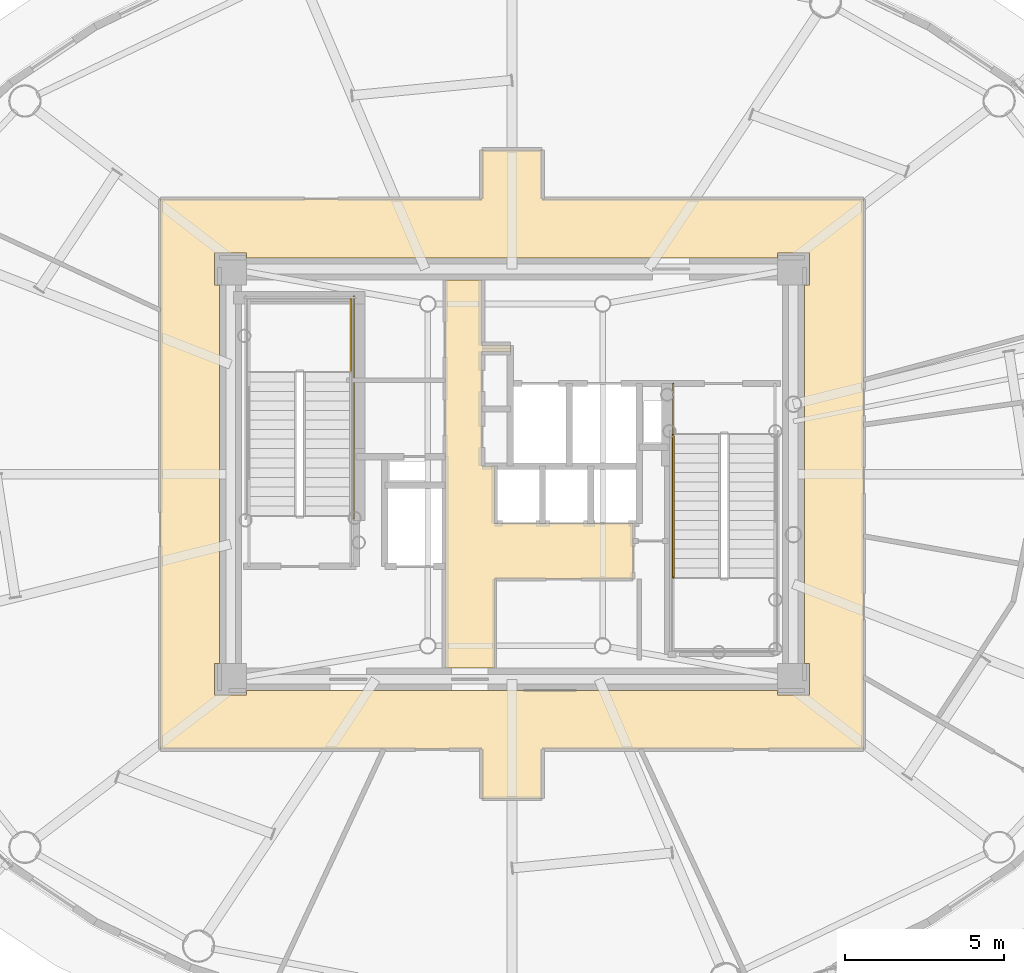
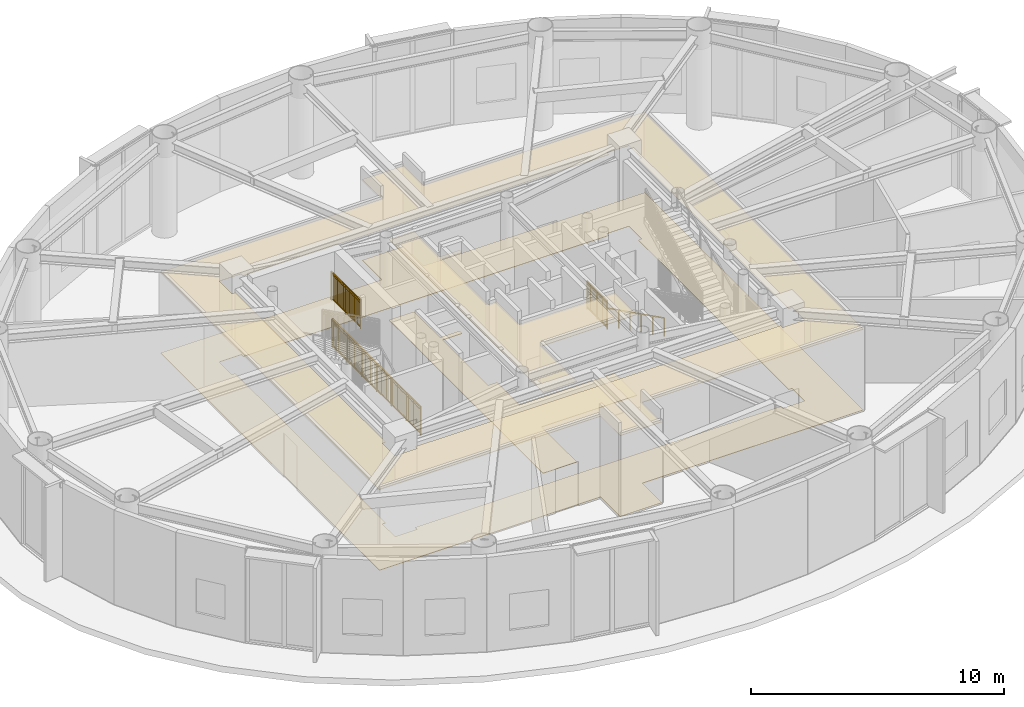
# One storey, part 30 of 32: 4 coverings, 4 railings.
"""IFC4 building model written with IfcOpenShell, lengths in metres."""

from ifc_helpers import new_model, si_unit, direction, frame, origin, origin_2d, place, context, subcontext, project, spatial, polyline, rectangle, outline, extrude, source, transform, mapped, material, layer, layer_set, type_object, element, save


model = new_model("IFC4")

# Units and contexts
model_context = context("Model", 3, precision=1e-05, world=origin(), true_north=direction((0.0, 1.0)))
body_context = subcontext(model_context, "Body", "Model", "MODEL_VIEW")
ifc_project = project(units=[si_unit("LENGTHUNIT", "METRE"), si_unit("AREAUNIT", "SQUARE_METRE"), si_unit("VOLUMEUNIT", "CUBIC_METRE"), si_unit("PLANEANGLEUNIT", "RADIAN"), si_unit("MASSUNIT", "GRAM", prefix="KILO")], contexts=[model_context])

# Site, building, storey
site_placement = place(None, origin())
site = spatial("IfcSite", under=ifc_project, at=site_placement, CompositionType="ELEMENT")
building_placement = place(site_placement, origin())
building = spatial("IfcBuilding", under=site, at=building_placement, Name="Linh Dai School and Residence Tower", CompositionType="ELEMENT")
storey_placement = place(building_placement, frame((0.0, 0.0, 268.199951171875)))
storey = spatial("IfcBuildingStorey", under=building, at=storey_placement, Name="L66", CompositionType="ELEMENT", Elevation=268.199951171875)

# Coverings
ifc_material_1 = material(Name="Mineral Fibre Acoustic Suspended Ceiling", Category="masonry")
ifc_layer_1 = layer(ifc_material_1, 0.02001953125)
ifc_layer_set_1 = layer_set([ifc_layer_1], Name="Mineral Fibre Acoustic Suspended Ceiling")
covering_type_1 = type_object("IfcCoveringType", Name="COV-CEIL-AC-20", PredefinedType="CEILING", material=ifc_layer_set_1)
covering_1_placement = place(storey_placement, frame((0.0, 0.0, 3.900146484375)))
element("IfcCovering", 1, at=covering_1_placement, inside=storey, type_object=covering_type_1, Name="L66 Passenger Lift Lobby Suspended Ceiling", PredefinedType="CEILING", context=body_context, shape_type="SweptSolid", body=[
    extrude(outline(polyline([(35.050048828125, 33.10009765625), (35.050048828125, 31.050048828125), (35.949951171875, 31.050048828125), (35.949951171875, 30.85009765625), (35.050048828125, 30.85009765625), (35.050048828125, 27.25), (35.449951171875, 27.25), (35.449951171875, 25.449951171875), (39.800048828125, 25.449951171875), (39.800048828125, 23.699951171875), (35.449951171875, 23.699951171875), (35.449951171875, 20.89990234375), (33.89990234375, 20.89990234375), (33.89990234375, 33.10009765625), (35.050048828125, 33.10009765625)])), origin(), (0.0, 0.0, 1.0), 0.02001953125),
])
covering_2_placement = place(storey_placement, frame((0.0, 0.0, 3.900146484375)))
element("IfcCovering", 2, at=covering_2_placement, inside=storey, type_object=covering_type_1, Name="L66 Residential Floor Corridor Suspended Ceiling", PredefinedType="CEILING", context=body_context, shape_type="SweptSolid", body=[
    extrude(outline(polyline([(24.949951171875, 18.35009765625), (24.949951171875, 35.64990234375), (35.050048828125, 35.64990234375), (35.050048828125, 37.199951171875), (36.949951171875, 37.199951171875), (36.949951171875, 35.64990234375), (47.050048828125, 35.64990234375), (47.050048828125, 18.35009765625), (36.949951171875, 18.35009765625), (36.949951171875, 16.800048828125), (35.050048828125, 16.800048828125), (35.050048828125, 18.35009765625), (24.949951171875, 18.35009765625)]), holes=[polyline([(27.64990234375, 33.800048828125), (27.64990234375, 33.949951171875), (26.64990234375, 33.949951171875), (26.64990234375, 32.949951171875), (26.800048828125, 32.949951171875), (26.800048828125, 21.050048828125), (26.64990234375, 21.050048828125), (26.64990234375, 20.050048828125), (27.64990234375, 20.050048828125), (27.64990234375, 20.199951171875), (44.35009765625, 20.199951171875), (44.35009765625, 20.050048828125), (45.35009765625, 20.050048828125), (45.35009765625, 21.050048828125), (45.199951171875, 21.050048828125), (45.199951171875, 32.949951171875), (45.35009765625, 32.949951171875), (45.35009765625, 33.949951171875), (44.35009765625, 33.949951171875), (44.35009765625, 33.800048828125), (27.64990234375, 33.800048828125)])]), origin(), (0.0, 0.0, 1.0), 0.02001953125),
])
ifc_material_2 = material(Name="Polished Terrazzo Floor Finish", Category="masonry")
ifc_layer_2 = layer(ifc_material_2, 0.02490234375)
ifc_layer_set_2 = layer_set([ifc_layer_2], Name="Polished Terrazzo Floor Finish")
covering_type_2 = type_object("IfcCoveringType", Name="COV-FLR-TRZ-25", PredefinedType="FLOORING", material=ifc_layer_set_2)
covering_3_placement = place(storey_placement, origin())
element("IfcCovering", 3, at=covering_3_placement, inside=storey, type_object=covering_type_2, Name="L66 Passenger Lift Lobby Floor Finish", PredefinedType="FLOORING", context=body_context, shape_type="SweptSolid", body=[
    extrude(outline(polyline([(35.050048828125, 33.10009765625), (35.050048828125, 31.050048828125), (35.949951171875, 31.050048828125), (35.949951171875, 30.85009765625), (35.050048828125, 30.85009765625), (35.050048828125, 27.25), (35.449951171875, 27.25), (35.449951171875, 25.449951171875), (39.800048828125, 25.449951171875), (39.800048828125, 23.699951171875), (35.449951171875, 23.699951171875), (35.449951171875, 20.89990234375), (33.89990234375, 20.89990234375), (33.89990234375, 33.10009765625), (35.050048828125, 33.10009765625)])), origin(), (0.0, 0.0, 1.0), 0.02001953125),
])
covering_4_placement = place(storey_placement, origin())
element("IfcCovering", 4, at=covering_4_placement, inside=storey, type_object=covering_type_2, Name="L66 Residential Floor Corridor Floor Finish", PredefinedType="FLOORING", context=body_context, shape_type="SweptSolid", body=[
    extrude(outline(polyline([(24.949951171875, 18.35009765625), (24.949951171875, 35.64990234375), (35.050048828125, 35.64990234375), (35.050048828125, 37.199951171875), (36.949951171875, 37.199951171875), (36.949951171875, 35.64990234375), (47.050048828125, 35.64990234375), (47.050048828125, 18.35009765625), (36.949951171875, 18.35009765625), (36.949951171875, 16.800048828125), (35.050048828125, 16.800048828125), (35.050048828125, 18.35009765625), (24.949951171875, 18.35009765625)]), holes=[polyline([(27.64990234375, 33.800048828125), (27.64990234375, 33.949951171875), (26.64990234375, 33.949951171875), (26.64990234375, 32.949951171875), (26.800048828125, 32.949951171875), (26.800048828125, 21.050048828125), (26.64990234375, 21.050048828125), (26.64990234375, 20.050048828125), (27.64990234375, 20.050048828125), (27.64990234375, 20.199951171875), (44.35009765625, 20.199951171875), (44.35009765625, 20.050048828125), (45.35009765625, 20.050048828125), (45.35009765625, 21.050048828125), (45.199951171875, 21.050048828125), (45.199951171875, 32.949951171875), (45.35009765625, 32.949951171875), (45.35009765625, 33.949951171875), (44.35009765625, 33.949951171875), (44.35009765625, 33.800048828125), (27.64990234375, 33.800048828125)])]), origin(), (0.0, 0.0, 1.0), 0.02001953125),
])

# Railings
ifc_material_3 = material(Name="Structural Steel S355JR", Category="steel")
railing_type_1 = type_object("IfcRailingType", Name="RL-ST-GUARD-1400", PredefinedType="GUARDRAIL", material=ifc_material_3)
shared_shape_1 = source(origin(), body_context, "Body", "SweptSolid", [
    extrude(rectangle(XDim=0.048095703125, YDim=0.048095703125, at=origin_2d()), frame((0.0, 0.0, 1.3759765625), z_axis=(0.0, 1.0, 0.0), x_axis=(-1.0, 0.0, 0.0)), (0.0, 0.0, 1.0), 7.0),
    extrude(rectangle(XDim=0.048095703125, YDim=0.048095703125, at=origin_2d()), frame((0.0, 0.0, 0.10009765625), z_axis=(0.0, 1.0, 0.0), x_axis=(-1.0, 0.0, 0.0)), (0.0, 0.0, 1.0), 7.0),
    extrude(rectangle(XDim=0.030029296875, YDim=0.030029296875, at=origin_2d()), frame((0.0, 0.0, 1.239990234375), z_axis=(0.0, 1.0, 0.0), x_axis=(-1.0, 0.0, 0.0)), (0.0, 0.0, 1.0), 7.0),
    extrude(rectangle(XDim=0.02001953125, YDim=0.02001953125, at=origin_2d()), frame((0.0, 0.09716796875, 0.10009765625)), (0.0, 0.0, 1.0), 1.251708984375),
    extrude(rectangle(XDim=0.02001953125, YDim=0.02001953125, at=origin_2d()), frame((0.0, 0.1943359375, 0.10009765625)), (0.0, 0.0, 1.0), 1.251708984375),
    extrude(rectangle(XDim=0.02001953125, YDim=0.02001953125, at=origin_2d()), frame((0.0, 0.291748046875, 0.10009765625)), (0.0, 0.0, 1.0), 1.251708984375),
    extrude(rectangle(XDim=0.02001953125, YDim=0.02001953125, at=origin_2d()), frame((0.0, 0.388916015625, 0.10009765625)), (0.0, 0.0, 1.0), 1.251708984375),
    extrude(rectangle(XDim=0.02001953125, YDim=0.02001953125, at=origin_2d()), frame((0.0, 0.486083984375, 0.10009765625)), (0.0, 0.0, 1.0), 1.251708984375),
    extrude(rectangle(XDim=0.02001953125, YDim=0.02001953125, at=origin_2d()), frame((0.0, 0.583251953125, 0.10009765625)), (0.0, 0.0, 1.0), 1.251708984375),
    extrude(rectangle(XDim=0.02001953125, YDim=0.02001953125, at=origin_2d()), frame((0.0, 0.6806640625, 0.10009765625)), (0.0, 0.0, 1.0), 1.251708984375),
    extrude(rectangle(XDim=0.02001953125, YDim=0.02001953125, at=origin_2d()), frame((0.0, 0.77783203125, 0.10009765625)), (0.0, 0.0, 1.0), 1.251708984375),
    extrude(rectangle(XDim=0.02001953125, YDim=0.02001953125, at=origin_2d()), frame((0.0, 0.875, 0.10009765625)), (0.0, 0.0, 1.0), 1.251708984375),
    extrude(rectangle(XDim=0.02001953125, YDim=0.02001953125, at=origin_2d()), frame((0.0, 0.97216796875, 0.10009765625)), (0.0, 0.0, 1.0), 1.251708984375),
    extrude(rectangle(XDim=0.02001953125, YDim=0.02001953125, at=origin_2d()), frame((0.0, 1.0693359375, 0.10009765625)), (0.0, 0.0, 1.0), 1.251708984375),
    extrude(rectangle(XDim=0.02001953125, YDim=0.02001953125, at=origin_2d()), frame((0.0, 1.263916015625, 0.10009765625)), (0.0, 0.0, 1.0), 1.251708984375),
    extrude(rectangle(XDim=0.02001953125, YDim=0.02001953125, at=origin_2d()), frame((0.0, 1.361083984375, 0.10009765625)), (0.0, 0.0, 1.0), 1.251708984375),
    extrude(rectangle(XDim=0.02001953125, YDim=0.02001953125, at=origin_2d()), frame((0.0, 1.458251953125, 0.10009765625)), (0.0, 0.0, 1.0), 1.251708984375),
    extrude(rectangle(XDim=0.02001953125, YDim=0.02001953125, at=origin_2d()), frame((0.0, 1.5556640625, 0.10009765625)), (0.0, 0.0, 1.0), 1.251708984375),
    extrude(rectangle(XDim=0.02001953125, YDim=0.02001953125, at=origin_2d()), frame((0.0, 1.65283203125, 0.10009765625)), (0.0, 0.0, 1.0), 1.251708984375),
    extrude(rectangle(XDim=0.02001953125, YDim=0.02001953125, at=origin_2d()), frame((0.0, 1.75, 0.10009765625)), (0.0, 0.0, 1.0), 1.251708984375),
    extrude(rectangle(XDim=0.02001953125, YDim=0.02001953125, at=origin_2d()), frame((0.0, 1.84716796875, 0.10009765625)), (0.0, 0.0, 1.0), 1.251708984375),
    extrude(rectangle(XDim=0.02001953125, YDim=0.02001953125, at=origin_2d()), frame((0.0, 1.9443359375, 0.10009765625)), (0.0, 0.0, 1.0), 1.251708984375),
    extrude(rectangle(XDim=0.02001953125, YDim=0.02001953125, at=origin_2d()), frame((0.0, 2.041748046875, 0.10009765625)), (0.0, 0.0, 1.0), 1.251708984375),
    extrude(rectangle(XDim=0.02001953125, YDim=0.02001953125, at=origin_2d()), frame((0.0, 2.138916015625, 0.10009765625)), (0.0, 0.0, 1.0), 1.251708984375),
    extrude(rectangle(XDim=0.02001953125, YDim=0.02001953125, at=origin_2d()), frame((0.0, 2.236083984375, 0.10009765625)), (0.0, 0.0, 1.0), 1.251708984375),
    extrude(rectangle(XDim=0.02001953125, YDim=0.02001953125, at=origin_2d()), frame((0.0, 2.4306640625, 0.10009765625)), (0.0, 0.0, 1.0), 1.251708984375),
    extrude(rectangle(XDim=0.02001953125, YDim=0.02001953125, at=origin_2d()), frame((0.0, 2.52783203125, 0.10009765625)), (0.0, 0.0, 1.0), 1.251708984375),
    extrude(rectangle(XDim=0.02001953125, YDim=0.02001953125, at=origin_2d()), frame((0.0, 2.625, 0.10009765625)), (0.0, 0.0, 1.0), 1.251708984375),
    extrude(rectangle(XDim=0.02001953125, YDim=0.02001953125, at=origin_2d()), frame((0.0, 2.72216796875, 0.10009765625)), (0.0, 0.0, 1.0), 1.251708984375),
    extrude(rectangle(XDim=0.02001953125, YDim=0.02001953125, at=origin_2d()), frame((0.0, 2.8193359375, 0.10009765625)), (0.0, 0.0, 1.0), 1.251708984375),
    extrude(rectangle(XDim=0.02001953125, YDim=0.02001953125, at=origin_2d()), frame((0.0, 2.916748046875, 0.10009765625)), (0.0, 0.0, 1.0), 1.251708984375),
    extrude(rectangle(XDim=0.02001953125, YDim=0.02001953125, at=origin_2d()), frame((0.0, 3.013916015625, 0.10009765625)), (0.0, 0.0, 1.0), 1.251708984375),
    extrude(rectangle(XDim=0.02001953125, YDim=0.02001953125, at=origin_2d()), frame((0.0, 3.111083984375, 0.10009765625)), (0.0, 0.0, 1.0), 1.251708984375),
    extrude(rectangle(XDim=0.02001953125, YDim=0.02001953125, at=origin_2d()), frame((0.0, 3.208251953125, 0.10009765625)), (0.0, 0.0, 1.0), 1.251708984375),
    extrude(rectangle(XDim=0.02001953125, YDim=0.02001953125, at=origin_2d()), frame((0.0, 3.3056640625, 0.10009765625)), (0.0, 0.0, 1.0), 1.251708984375),
    extrude(rectangle(XDim=0.02001953125, YDim=0.02001953125, at=origin_2d()), frame((0.0, 3.40283203125, 0.10009765625)), (0.0, 0.0, 1.0), 1.251708984375),
    extrude(rectangle(XDim=0.02001953125, YDim=0.02001953125, at=origin_2d()), frame((0.0, 3.59716796875, 0.10009765625)), (0.0, 0.0, 1.0), 1.251708984375),
    extrude(rectangle(XDim=0.02001953125, YDim=0.02001953125, at=origin_2d()), frame((0.0, 3.6943359375, 0.10009765625)), (0.0, 0.0, 1.0), 1.251708984375),
    extrude(rectangle(XDim=0.02001953125, YDim=0.02001953125, at=origin_2d()), frame((0.0, 3.791748046875, 0.10009765625)), (0.0, 0.0, 1.0), 1.251708984375),
    extrude(rectangle(XDim=0.02001953125, YDim=0.02001953125, at=origin_2d()), frame((0.0, 3.888916015625, 0.10009765625)), (0.0, 0.0, 1.0), 1.251708984375),
    extrude(rectangle(XDim=0.02001953125, YDim=0.02001953125, at=origin_2d()), frame((0.0, 3.986083984375, 0.10009765625)), (0.0, 0.0, 1.0), 1.251708984375),
    extrude(rectangle(XDim=0.02001953125, YDim=0.02001953125, at=origin_2d()), frame((0.0, 4.083251953125, 0.10009765625)), (0.0, 0.0, 1.0), 1.251708984375),
    extrude(rectangle(XDim=0.02001953125, YDim=0.02001953125, at=origin_2d()), frame((0.0, 4.1806640625, 0.10009765625)), (0.0, 0.0, 1.0), 1.251708984375),
    extrude(rectangle(XDim=0.02001953125, YDim=0.02001953125, at=origin_2d()), frame((0.0, 4.27783203125, 0.10009765625)), (0.0, 0.0, 1.0), 1.251708984375),
    extrude(rectangle(XDim=0.02001953125, YDim=0.02001953125, at=origin_2d()), frame((0.0, 4.375, 0.10009765625)), (0.0, 0.0, 1.0), 1.251708984375),
    extrude(rectangle(XDim=0.02001953125, YDim=0.02001953125, at=origin_2d()), frame((0.0, 4.47216796875, 0.10009765625)), (0.0, 0.0, 1.0), 1.251708984375),
    extrude(rectangle(XDim=0.02001953125, YDim=0.02001953125, at=origin_2d()), frame((0.0, 4.5693359375, 0.10009765625)), (0.0, 0.0, 1.0), 1.251708984375),
    extrude(rectangle(XDim=0.02001953125, YDim=0.02001953125, at=origin_2d()), frame((0.0, 4.763916015625, 0.10009765625)), (0.0, 0.0, 1.0), 1.251708984375),
    extrude(rectangle(XDim=0.02001953125, YDim=0.02001953125, at=origin_2d()), frame((0.0, 4.861083984375, 0.10009765625)), (0.0, 0.0, 1.0), 1.251708984375),
    extrude(rectangle(XDim=0.02001953125, YDim=0.02001953125, at=origin_2d()), frame((0.0, 4.958251953125, 0.10009765625)), (0.0, 0.0, 1.0), 1.251708984375),
    extrude(rectangle(XDim=0.02001953125, YDim=0.02001953125, at=origin_2d()), frame((0.0, 5.0556640625, 0.10009765625)), (0.0, 0.0, 1.0), 1.251708984375),
    extrude(rectangle(XDim=0.02001953125, YDim=0.02001953125, at=origin_2d()), frame((0.0, 5.15283203125, 0.10009765625)), (0.0, 0.0, 1.0), 1.251708984375),
    extrude(rectangle(XDim=0.02001953125, YDim=0.02001953125, at=origin_2d()), frame((0.0, 5.25, 0.10009765625)), (0.0, 0.0, 1.0), 1.251708984375),
    extrude(rectangle(XDim=0.02001953125, YDim=0.02001953125, at=origin_2d()), frame((0.0, 5.34716796875, 0.10009765625)), (0.0, 0.0, 1.0), 1.251708984375),
    extrude(rectangle(XDim=0.02001953125, YDim=0.02001953125, at=origin_2d()), frame((0.0, 5.4443359375, 0.10009765625)), (0.0, 0.0, 1.0), 1.251708984375),
    extrude(rectangle(XDim=0.02001953125, YDim=0.02001953125, at=origin_2d()), frame((0.0, 5.541748046875, 0.10009765625)), (0.0, 0.0, 1.0), 1.251708984375),
    extrude(rectangle(XDim=0.02001953125, YDim=0.02001953125, at=origin_2d()), frame((0.0, 5.638916015625, 0.10009765625)), (0.0, 0.0, 1.0), 1.251708984375),
    extrude(rectangle(XDim=0.02001953125, YDim=0.02001953125, at=origin_2d()), frame((0.0, 5.736083984375, 0.10009765625)), (0.0, 0.0, 1.0), 1.251708984375),
    extrude(rectangle(XDim=0.02001953125, YDim=0.02001953125, at=origin_2d()), frame((0.0, 5.9306640625, 0.10009765625)), (0.0, 0.0, 1.0), 1.251708984375),
    extrude(rectangle(XDim=0.02001953125, YDim=0.02001953125, at=origin_2d()), frame((0.0, 6.02783203125, 0.10009765625)), (0.0, 0.0, 1.0), 1.251708984375),
    extrude(rectangle(XDim=0.02001953125, YDim=0.02001953125, at=origin_2d()), frame((0.0, 6.125, 0.10009765625)), (0.0, 0.0, 1.0), 1.251708984375),
    extrude(rectangle(XDim=0.02001953125, YDim=0.02001953125, at=origin_2d()), frame((0.0, 6.22216796875, 0.10009765625)), (0.0, 0.0, 1.0), 1.251708984375),
    extrude(rectangle(XDim=0.02001953125, YDim=0.02001953125, at=origin_2d()), frame((0.0, 6.3193359375, 0.10009765625)), (0.0, 0.0, 1.0), 1.251708984375),
    extrude(rectangle(XDim=0.02001953125, YDim=0.02001953125, at=origin_2d()), frame((0.0, 6.416748046875, 0.10009765625)), (0.0, 0.0, 1.0), 1.251708984375),
    extrude(rectangle(XDim=0.02001953125, YDim=0.02001953125, at=origin_2d()), frame((0.0, 6.513916015625, 0.10009765625)), (0.0, 0.0, 1.0), 1.251708984375),
    extrude(rectangle(XDim=0.02001953125, YDim=0.02001953125, at=origin_2d()), frame((0.0, 6.611083984375, 0.10009765625)), (0.0, 0.0, 1.0), 1.251708984375),
    extrude(rectangle(XDim=0.02001953125, YDim=0.02001953125, at=origin_2d()), frame((0.0, 6.708251953125, 0.10009765625)), (0.0, 0.0, 1.0), 1.251708984375),
    extrude(rectangle(XDim=0.02001953125, YDim=0.02001953125, at=origin_2d()), frame((0.0, 6.8056640625, 0.10009765625)), (0.0, 0.0, 1.0), 1.251708984375),
    extrude(rectangle(XDim=0.02001953125, YDim=0.02001953125, at=origin_2d()), frame((0.0, 6.90283203125, 0.10009765625)), (0.0, 0.0, 1.0), 1.251708984375),
    extrude(rectangle(XDim=0.0419921875, YDim=0.0419921875, at=origin_2d()), origin(), (0.0, 0.0, 1.0), 1.3759765625),
    extrude(rectangle(XDim=0.0419921875, YDim=0.0419921875, at=origin_2d()), frame((0.0, 1.166748046875, 0.0)), (0.0, 0.0, 1.0), 1.3759765625),
    extrude(rectangle(XDim=0.0419921875, YDim=0.0419921875, at=origin_2d()), frame((0.0, 2.333251953125, 0.0)), (0.0, 0.0, 1.0), 1.3759765625),
    extrude(rectangle(XDim=0.0419921875, YDim=0.0419921875, at=origin_2d()), frame((0.0, 3.5, 0.0)), (0.0, 0.0, 1.0), 1.3759765625),
    extrude(rectangle(XDim=0.0419921875, YDim=0.0419921875, at=origin_2d()), frame((0.0, 4.666748046875, 0.0)), (0.0, 0.0, 1.0), 1.3759765625),
    extrude(rectangle(XDim=0.0419921875, YDim=0.0419921875, at=origin_2d()), frame((0.0, 5.833251953125, 0.0)), (0.0, 0.0, 1.0), 1.3759765625),
    extrude(rectangle(XDim=0.0419921875, YDim=0.0419921875, at=origin_2d()), frame((0.0, 7.0, 0.0)), (0.0, 0.0, 1.0), 1.3759765625),
])
railing_1_placement = place(storey_placement, frame((31.030029296875, 25.60009765625, 0.0)))
element("IfcRailing", 5, at=railing_1_placement, inside=storey, type_object=railing_type_1, Name="L66 ST1 stair guard 10", PredefinedType="GUARDRAIL", context=body_context, shape_type="MappedRepresentation", body=[
    mapped(shared_shape_1, transform((0.0, 0.0, 0.0), x_axis=(1.0, 0.0, 0.0), y_axis=(0.0, 1.0, 0.0), z_axis=(0.0, 0.0, 1.0), scale=1.0)),
])
shared_shape_2 = source(origin(), body_context, "Body", "SweptSolid", [
    extrude(rectangle(XDim=0.048095703125, YDim=0.048095703125, at=origin_2d()), frame((0.0, 0.0, 1.3759765625), z_axis=(0.0, 1.0, 0.0), x_axis=(-1.0, 0.0, 0.0)), (0.0, 0.0, 1.0), 2.300048828125),
    extrude(rectangle(XDim=0.048095703125, YDim=0.048095703125, at=origin_2d()), frame((0.0, 0.0, 0.10009765625), z_axis=(0.0, 1.0, 0.0), x_axis=(-1.0, 0.0, 0.0)), (0.0, 0.0, 1.0), 2.300048828125),
    extrude(rectangle(XDim=0.030029296875, YDim=0.030029296875, at=origin_2d()), frame((0.0, 0.0, 1.239990234375), z_axis=(0.0, 1.0, 0.0), x_axis=(-1.0, 0.0, 0.0)), (0.0, 0.0, 1.0), 2.300048828125),
    extrude(rectangle(XDim=0.02001953125, YDim=0.02001953125, at=origin_2d()), frame((0.0, 0.095947265625, 0.10009765625)), (0.0, 0.0, 1.0), 1.251708984375),
    extrude(rectangle(XDim=0.02001953125, YDim=0.02001953125, at=origin_2d()), frame((0.0, 0.191650390625, 0.10009765625)), (0.0, 0.0, 1.0), 1.251708984375),
    extrude(rectangle(XDim=0.02001953125, YDim=0.02001953125, at=origin_2d()), frame((0.0, 0.28759765625, 0.10009765625)), (0.0, 0.0, 1.0), 1.251708984375),
    extrude(rectangle(XDim=0.02001953125, YDim=0.02001953125, at=origin_2d()), frame((0.0, 0.38330078125, 0.10009765625)), (0.0, 0.0, 1.0), 1.251708984375),
    extrude(rectangle(XDim=0.02001953125, YDim=0.02001953125, at=origin_2d()), frame((0.0, 0.479248046875, 0.10009765625)), (0.0, 0.0, 1.0), 1.251708984375),
    extrude(rectangle(XDim=0.02001953125, YDim=0.02001953125, at=origin_2d()), frame((0.0, 0.574951171875, 0.10009765625)), (0.0, 0.0, 1.0), 1.251708984375),
    extrude(rectangle(XDim=0.02001953125, YDim=0.02001953125, at=origin_2d()), frame((0.0, 0.6708984375, 0.10009765625)), (0.0, 0.0, 1.0), 1.251708984375),
    extrude(rectangle(XDim=0.02001953125, YDim=0.02001953125, at=origin_2d()), frame((0.0, 0.7666015625, 0.10009765625)), (0.0, 0.0, 1.0), 1.251708984375),
    extrude(rectangle(XDim=0.02001953125, YDim=0.02001953125, at=origin_2d()), frame((0.0, 0.862548828125, 0.10009765625)), (0.0, 0.0, 1.0), 1.251708984375),
    extrude(rectangle(XDim=0.02001953125, YDim=0.02001953125, at=origin_2d()), frame((0.0, 0.958251953125, 0.10009765625)), (0.0, 0.0, 1.0), 1.251708984375),
    extrude(rectangle(XDim=0.02001953125, YDim=0.02001953125, at=origin_2d()), frame((0.0, 1.05419921875, 0.10009765625)), (0.0, 0.0, 1.0), 1.251708984375),
    extrude(rectangle(XDim=0.02001953125, YDim=0.02001953125, at=origin_2d()), frame((0.0, 1.245849609375, 0.10009765625)), (0.0, 0.0, 1.0), 1.251708984375),
    extrude(rectangle(XDim=0.02001953125, YDim=0.02001953125, at=origin_2d()), frame((0.0, 1.341796875, 0.10009765625)), (0.0, 0.0, 1.0), 1.251708984375),
    extrude(rectangle(XDim=0.02001953125, YDim=0.02001953125, at=origin_2d()), frame((0.0, 1.4375, 0.10009765625)), (0.0, 0.0, 1.0), 1.251708984375),
    extrude(rectangle(XDim=0.02001953125, YDim=0.02001953125, at=origin_2d()), frame((0.0, 1.533447265625, 0.10009765625)), (0.0, 0.0, 1.0), 1.251708984375),
    extrude(rectangle(XDim=0.02001953125, YDim=0.02001953125, at=origin_2d()), frame((0.0, 1.629150390625, 0.10009765625)), (0.0, 0.0, 1.0), 1.251708984375),
    extrude(rectangle(XDim=0.02001953125, YDim=0.02001953125, at=origin_2d()), frame((0.0, 1.72509765625, 0.10009765625)), (0.0, 0.0, 1.0), 1.251708984375),
    extrude(rectangle(XDim=0.02001953125, YDim=0.02001953125, at=origin_2d()), frame((0.0, 1.82080078125, 0.10009765625)), (0.0, 0.0, 1.0), 1.251708984375),
    extrude(rectangle(XDim=0.02001953125, YDim=0.02001953125, at=origin_2d()), frame((0.0, 1.916748046875, 0.10009765625)), (0.0, 0.0, 1.0), 1.251708984375),
    extrude(rectangle(XDim=0.02001953125, YDim=0.02001953125, at=origin_2d()), frame((0.0, 2.012451171875, 0.10009765625)), (0.0, 0.0, 1.0), 1.251708984375),
    extrude(rectangle(XDim=0.02001953125, YDim=0.02001953125, at=origin_2d()), frame((0.0, 2.1083984375, 0.10009765625)), (0.0, 0.0, 1.0), 1.251708984375),
    extrude(rectangle(XDim=0.02001953125, YDim=0.02001953125, at=origin_2d()), frame((0.0, 2.2041015625, 0.10009765625)), (0.0, 0.0, 1.0), 1.251708984375),
    extrude(rectangle(XDim=0.0419921875, YDim=0.0419921875, at=origin_2d()), origin(), (0.0, 0.0, 1.0), 1.3759765625),
    extrude(rectangle(XDim=0.0419921875, YDim=0.0419921875, at=origin_2d()), frame((0.0, 1.14990234375, 0.0)), (0.0, 0.0, 1.0), 1.3759765625),
    extrude(rectangle(XDim=0.0419921875, YDim=0.0419921875, at=origin_2d()), frame((0.0, 2.300048828125, 0.0)), (0.0, 0.0, 1.0), 1.3759765625),
])
railing_2_placement = place(storey_placement, frame((30.929931640625, 30.199951171875, 2.400146484375)))
element("IfcRailing", 6, at=railing_2_placement, inside=storey, type_object=railing_type_1, Name="L66 ST1 stair guard 3", PredefinedType="GUARDRAIL", context=body_context, shape_type="MappedRepresentation", body=[
    mapped(shared_shape_2, transform((0.0, 0.0, 0.0), x_axis=(1.0, 0.0, 0.0), y_axis=(0.0, 1.0, 0.0), z_axis=(0.0, 0.0, 1.0), scale=1.0)),
])
ifc_material_4 = material(Name="Brushed Stainless Steel Handrail", Category="steel")
railing_type_2 = type_object("IfcRailingType", Name="RL-ST-HANDRAIL-900", PredefinedType="HANDRAIL", material=ifc_material_4)
shared_shape_3 = source(origin(), body_context, "Body", "SweptSolid", [
    extrude(rectangle(XDim=0.048095703125, YDim=0.048095703125, at=origin_2d()), frame((0.0, 0.0, 0.8759765625), z_axis=(0.0, -0.894427191, 0.4472135955), x_axis=(1.0, 0.0, 0.0)), (0.0, 0.0, 1.0), 5.03125),
    extrude(rectangle(XDim=0.0419921875, YDim=0.0419921875, at=origin_2d()), origin(), (0.0, 0.0, 1.0), 0.8759765625),
    extrude(rectangle(XDim=0.0419921875, YDim=0.0419921875, at=origin_2d()), frame((0.0, -0.89990234375, 0.449951171875)), (0.0, 0.0, 1.0), 0.8759765625),
    extrude(rectangle(XDim=0.0419921875, YDim=0.0419921875, at=origin_2d()), frame((0.0, -1.800048828125, 0.89990234375)), (0.0, 0.0, 1.0), 0.8759765625),
    extrude(rectangle(XDim=0.0419921875, YDim=0.0419921875, at=origin_2d()), frame((0.0, -2.699951171875, 1.35009765625)), (0.0, 0.0, 1.0), 0.8759765625),
    extrude(rectangle(XDim=0.0419921875, YDim=0.0419921875, at=origin_2d()), frame((0.0, -3.60009765625, 1.800048828125)), (0.0, 0.0, 1.0), 0.8759765625),
    extrude(rectangle(XDim=0.0419921875, YDim=0.0419921875, at=origin_2d()), frame((0.0, -4.5, 2.25)), (0.0, 0.0, 1.0), 0.8759765625),
])
railing_3_placement = place(storey_placement, frame((41.070068359375, 28.25, 0.150146484375)))
element("IfcRailing", 7, at=railing_3_placement, inside=storey, type_object=railing_type_2, Name="L66 ST2 stair handrail 1", PredefinedType="HANDRAIL", context=body_context, shape_type="MappedRepresentation", body=[
    mapped(shared_shape_3, transform((0.0, 0.0, 0.0), x_axis=(1.0, 0.0, 0.0), y_axis=(0.0, 1.0, 0.0), z_axis=(0.0, 0.0, 1.0), scale=1.0)),
])
shared_shape_4 = source(origin(), body_context, "Body", "SweptSolid", [
    extrude(rectangle(XDim=0.048095703125, YDim=0.048095703125, at=origin_2d()), frame((0.0, 0.0, 1.3759765625), z_axis=(0.0, -1.0, 0.0), x_axis=(1.0, 0.0, 0.0)), (0.0, 0.0, 1.0), 1.60009765625),
    extrude(rectangle(XDim=0.048095703125, YDim=0.048095703125, at=origin_2d()), frame((0.0, 0.0, 0.10009765625), z_axis=(0.0, -1.0, 0.0), x_axis=(1.0, 0.0, 0.0)), (0.0, 0.0, 1.0), 1.60009765625),
    extrude(rectangle(XDim=0.030029296875, YDim=0.030029296875, at=origin_2d()), frame((0.0, 0.0, 1.239990234375), z_axis=(0.0, -1.0, 0.0), x_axis=(1.0, 0.0, 0.0)), (0.0, 0.0, 1.0), 1.60009765625),
    extrude(rectangle(XDim=0.02001953125, YDim=0.02001953125, at=origin_2d()), frame((0.0, -0.09423828125, 0.10009765625)), (0.0, 0.0, 1.0), 1.251708984375),
    extrude(rectangle(XDim=0.02001953125, YDim=0.02001953125, at=origin_2d()), frame((0.0, -0.188232421875, 0.10009765625)), (0.0, 0.0, 1.0), 1.251708984375),
    extrude(rectangle(XDim=0.02001953125, YDim=0.02001953125, at=origin_2d()), frame((0.0, -0.282470703125, 0.10009765625)), (0.0, 0.0, 1.0), 1.251708984375),
    extrude(rectangle(XDim=0.02001953125, YDim=0.02001953125, at=origin_2d()), frame((0.0, -0.37646484375, 0.10009765625)), (0.0, 0.0, 1.0), 1.251708984375),
    extrude(rectangle(XDim=0.02001953125, YDim=0.02001953125, at=origin_2d()), frame((0.0, -0.470703125, 0.10009765625)), (0.0, 0.0, 1.0), 1.251708984375),
    extrude(rectangle(XDim=0.02001953125, YDim=0.02001953125, at=origin_2d()), frame((0.0, -0.564697265625, 0.10009765625)), (0.0, 0.0, 1.0), 1.251708984375),
    extrude(rectangle(XDim=0.02001953125, YDim=0.02001953125, at=origin_2d()), frame((0.0, -0.658935546875, 0.10009765625)), (0.0, 0.0, 1.0), 1.251708984375),
    extrude(rectangle(XDim=0.02001953125, YDim=0.02001953125, at=origin_2d()), frame((0.0, -0.7529296875, 0.10009765625)), (0.0, 0.0, 1.0), 1.251708984375),
    extrude(rectangle(XDim=0.02001953125, YDim=0.02001953125, at=origin_2d()), frame((0.0, -0.84716796875, 0.10009765625)), (0.0, 0.0, 1.0), 1.251708984375),
    extrude(rectangle(XDim=0.02001953125, YDim=0.02001953125, at=origin_2d()), frame((0.0, -0.941162109375, 0.10009765625)), (0.0, 0.0, 1.0), 1.251708984375),
    extrude(rectangle(XDim=0.02001953125, YDim=0.02001953125, at=origin_2d()), frame((0.0, -1.035400390625, 0.10009765625)), (0.0, 0.0, 1.0), 1.251708984375),
    extrude(rectangle(XDim=0.02001953125, YDim=0.02001953125, at=origin_2d()), frame((0.0, -1.12939453125, 0.10009765625)), (0.0, 0.0, 1.0), 1.251708984375),
    extrude(rectangle(XDim=0.02001953125, YDim=0.02001953125, at=origin_2d()), frame((0.0, -1.2236328125, 0.10009765625)), (0.0, 0.0, 1.0), 1.251708984375),
    extrude(rectangle(XDim=0.02001953125, YDim=0.02001953125, at=origin_2d()), frame((0.0, -1.317626953125, 0.10009765625)), (0.0, 0.0, 1.0), 1.251708984375),
    extrude(rectangle(XDim=0.02001953125, YDim=0.02001953125, at=origin_2d()), frame((0.0, -1.411865234375, 0.10009765625)), (0.0, 0.0, 1.0), 1.251708984375),
    extrude(rectangle(XDim=0.02001953125, YDim=0.02001953125, at=origin_2d()), frame((0.0, -1.505859375, 0.10009765625)), (0.0, 0.0, 1.0), 1.251708984375),
    extrude(rectangle(XDim=0.0419921875, YDim=0.0419921875, at=origin_2d()), origin(), (0.0, 0.0, 1.0), 1.3759765625),
    extrude(rectangle(XDim=0.0419921875, YDim=0.0419921875, at=origin_2d()), frame((0.0, -0.800048828125, 0.0)), (0.0, 0.0, 1.0), 1.3759765625),
    extrude(rectangle(XDim=0.0419921875, YDim=0.0419921875, at=origin_2d()), frame((0.0, -1.60009765625, 0.0)), (0.0, 0.0, 1.0), 1.3759765625),
])
railing_4_placement = place(storey_placement, frame((41.070068359375, 29.85009765625, 0.0)))
element("IfcRailing", 8, at=railing_4_placement, inside=storey, type_object=railing_type_1, Name="L66 ST2 stair guard 8", PredefinedType="GUARDRAIL", context=body_context, shape_type="MappedRepresentation", body=[
    mapped(shared_shape_4, transform((0.0, 0.0, 0.0), x_axis=(1.0, 0.0, 0.0), y_axis=(0.0, 1.0, 0.0), z_axis=(0.0, 0.0, 1.0), scale=1.0)),
])

save(model, "model.ifc")
